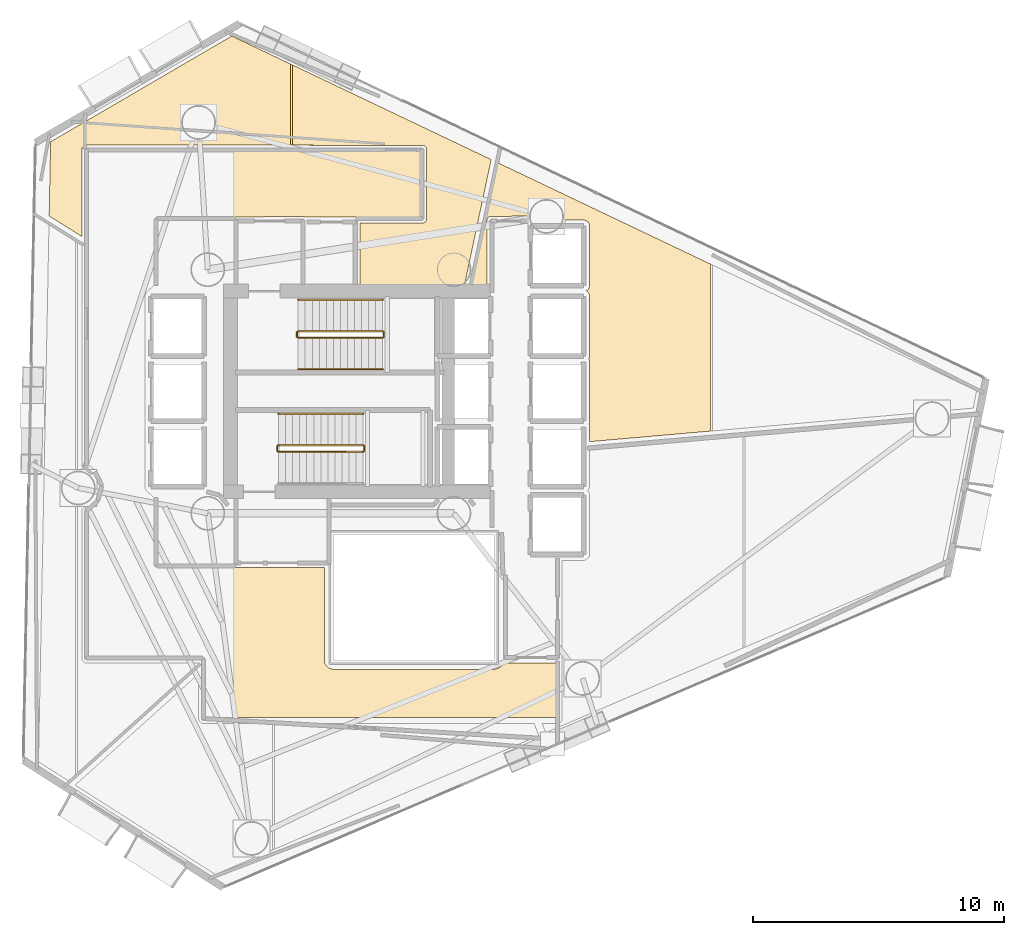
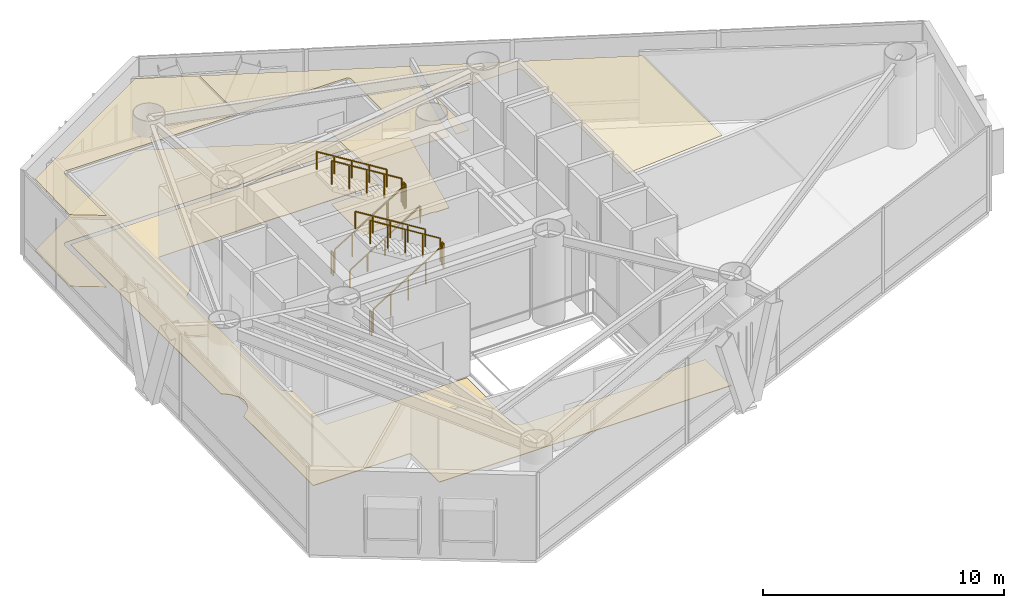
# One storey, part 20 of 21: 11 railings, 5 coverings.
"""IFC4 building model written with IfcOpenShell, lengths in metres."""

import ifcopenshell
import ifcopenshell.guid

model = None  # the IFC model being written
_history = None  # IfcOwnerHistory: only IFC2X3 demands one
_inside = {}  # id of a spatial element -> (the spatial element, [elements in it])
_under = {}  # id of a project, library or spatial element -> (it, [spatial elements below it])
_declared = {}  # id of a project -> (the project, [libraries it declares])
_typed = {}  # id of a type object -> (the type object, [elements of that type])
_made_of = {}  # id of a material, layer set ... -> (it, [elements and type objects made of it])


def new_model(schema):
    """Start an empty IFC model of exactly this schema.

    Asked for "IFC4X3", IfcOpenShell would pick the latest addendum, in which some entities
    have other attributes; the version numbers below select the first issue.
    IFC2X3 requires an IfcOwnerHistory on every rooted entity: one is made here for all.
    """
    global model, _history
    if schema == "IFC4X3":
        model = ifcopenshell.file(schema_version=(4, 3, 0, 0))
    else:
        model = ifcopenshell.file(schema=schema)
    _inside.clear()
    _under.clear()
    _declared.clear()
    _typed.clear()
    _made_of.clear()
    _history = None
    if model.schema == "IFC2X3":
        org = make("IfcOrganization", Name="unknown")
        user = make(
            "IfcPersonAndOrganization",
            ThePerson=make("IfcPerson", FamilyName="unknown"),
            TheOrganization=org,
        )
        app = make(
            "IfcApplication",
            ApplicationDeveloper=org,
            Version="unknown",
            ApplicationFullName="unknown",
            ApplicationIdentifier="unknown",
        )
        _history = make(
            "IfcOwnerHistory",
            OwningUser=user,
            OwningApplication=app,
            ChangeAction="ADDED",
            CreationDate=0,
        )
    return model


def make(cls, **values):
    """One entity of the class cls with the attributes given. An attribute that is None is left unset."""
    return model.create_entity(
        cls, **{name: value for name, value in values.items() if value is not None}
    )


def rooted(cls, **values):
    """An entity with a GlobalId (a new one), such as an element, a storey or a relation."""
    return make(cls, GlobalId=ifcopenshell.guid.new(), OwnerHistory=_history, **values)


def si_unit(unit_type, name, prefix=None):
    """IfcSIUnit, for example si_unit("LENGTHUNIT", "METRE", prefix="MILLI")."""
    return make("IfcSIUnit", UnitType=unit_type, Prefix=prefix, Name=name)


def assignment(units):
    """IfcUnitAssignment: the units of a project."""
    return None if units is None else make("IfcUnitAssignment", Units=units)


def point(xyz):
    """IfcCartesianPoint."""
    return None if xyz is None else make("IfcCartesianPoint", Coordinates=xyz)


def direction(xyz):
    """IfcDirection."""
    return None if xyz is None else make("IfcDirection", DirectionRatios=xyz)


def frame(location, z_axis=None, x_axis=None):
    """IfcAxis2Placement3D, a coordinate frame: its origin and axes. An axis left out is left unset."""
    return make(
        "IfcAxis2Placement3D",
        Location=point(location),
        Axis=direction(z_axis),
        RefDirection=direction(x_axis),
    )


def frame_2d(location, x_axis=None):
    """IfcAxis2Placement2D, a coordinate frame in the plane: its origin and x axis."""
    return make(
        "IfcAxis2Placement2D", Location=point(location), RefDirection=direction(x_axis)
    )


def origin():
    """The frame at (0, 0, 0) with its axes left unset."""
    return frame((0.0, 0.0, 0.0))


def origin_2d():
    """The frame at (0, 0) in the plane with its x axis left unset."""
    return frame_2d((0.0, 0.0))


def place(relative_to, where):
    """IfcLocalPlacement: puts the frame where relative to a parent placement (None: the world)."""
    return make(
        "IfcLocalPlacement", PlacementRelTo=relative_to, RelativePlacement=where
    )


def context(
    kind, dimensions, precision=None, world=None, true_north=None, identifier=None
):
    """IfcGeometricRepresentationContext, for example the 3D "Model" context."""
    return make(
        "IfcGeometricRepresentationContext",
        ContextIdentifier=identifier,
        ContextType=kind,
        CoordinateSpaceDimension=dimensions,
        Precision=precision,
        WorldCoordinateSystem=world,
        TrueNorth=true_north,
    )


def subcontext(parent, identifier, kind, view, scale=None):
    """IfcGeometricRepresentationSubContext, for example "Body" below "Model"."""
    return make(
        "IfcGeometricRepresentationSubContext",
        ContextIdentifier=identifier,
        ContextType=kind,
        ParentContext=parent,
        TargetScale=scale,
        TargetView=view,
    )


def project(units=None, contexts=None):
    """IfcProject with its units and contexts."""
    return rooted(
        "IfcProject",
        Name="project",
        RepresentationContexts=contexts,
        UnitsInContext=assignment(units),
    )


def spatial(cls, under=None, at=None, **own):
    """A site, building, storey or space (cls), placed at a placement, below another one or the project."""
    s = rooted(cls, ObjectPlacement=at, **own)
    if under is not None:
        _under.setdefault(under.id(), (under, []))[1].append(s)
    return s


def polyline(points):
    """IfcPolyline through the points."""
    return make("IfcPolyline", Points=[point(p) for p in points])


def profile(cls, at=None, kind="AREA", **sizes):
    """A parametric profile (cls). Its sizes go by their IFC names, for example OverallWidth=200.0."""
    return make(cls, ProfileType=kind, Position=at, **sizes)


def rectangle(**sizes):
    """IfcRectangleProfileDef."""
    return profile("IfcRectangleProfileDef", **sizes)


def outline(outer, holes=None, kind="AREA"):
    """IfcArbitraryClosedProfileDef: a profile drawn as a closed curve; with holes, ...WithVoids."""
    if holes is None:
        return make("IfcArbitraryClosedProfileDef", ProfileType=kind, OuterCurve=outer)
    return make(
        "IfcArbitraryProfileDefWithVoids",
        ProfileType=kind,
        OuterCurve=outer,
        InnerCurves=holes,
    )


def extrude(swept, where, along, depth):
    """IfcExtrudedAreaSolid: the profile swept, set in the frame where, extruded along a direction by depth."""
    return make(
        "IfcExtrudedAreaSolid",
        SweptArea=swept,
        Position=where,
        ExtrudedDirection=direction(along),
        Depth=depth,
    )


def shape(context_of_items, identifier, shape_type, items):
    """IfcShapeRepresentation: the items that make up one representation, for example the "Body"."""
    return make(
        "IfcShapeRepresentation",
        ContextOfItems=context_of_items,
        RepresentationIdentifier=identifier,
        RepresentationType=shape_type,
        Items=items,
    )


def material(Name=None, Category=None):
    """IfcMaterial."""
    return make("IfcMaterial", Name=Name, Category=Category)


def layer(
    of_material, thickness, ventilated=None, Name=None, Category=None, Priority=None
):
    """IfcMaterialLayer: one layer of a wall or slab, of a material (None: an air gap)."""
    return make(
        "IfcMaterialLayer",
        Material=of_material,
        LayerThickness=thickness,
        IsVentilated=ventilated,
        Name=Name,
        Category=Category,
        Priority=Priority,
    )


def layer_set(layers, Name=None):
    """IfcMaterialLayerSet."""
    return make("IfcMaterialLayerSet", MaterialLayers=layers, LayerSetName=Name)


def made_of(thing, what):
    """Note that an element or type object is made of a material, layer set ...; save() writes the relation."""
    if what is not None:
        _made_of.setdefault(what.id(), (what, []))[1].append(thing)
    return thing


def type_object(cls, material=None, **own):
    """A type object (cls), such as IfcWallType, which elements share."""
    return made_of(rooted(cls, **own), material)


def element(
    cls,
    number,
    at=None,
    inside=None,
    cuts=None,
    type_object=None,
    material=None,
    context=None,
    identifier="Body",
    shape_type=None,
    held_by="IfcProductDefinitionShape",
    body=None,
    shapes=None,
    **own,
):
    """One element of the class cls, such as IfcWall. Its Tag is "e" and its number.

    at: its placement. inside: the storey or other place that contains it. cuts: it is an
    opening in that element (IfcRelVoidsElement). A single representation is given by context,
    identifier, shape_type and body (its items); several are given by shapes. held_by: the class
    of the entity that holds the representations. save() writes the other relations.
    """
    e = rooted(cls, Tag="e%d" % number, ObjectPlacement=at, **own)
    if body is not None:
        shapes = [shape(context, identifier, shape_type, body)]
    if shapes is not None:
        e.Representation = make(held_by, Representations=shapes)
    if inside is not None:
        _inside.setdefault(inside.id(), (inside, []))[1].append(e)
    if cuts is not None:
        rooted(
            "IfcRelVoidsElement", RelatingBuildingElement=cuts, RelatedOpeningElement=e
        )
    if type_object is not None:
        _typed.setdefault(type_object.id(), (type_object, []))[1].append(e)
    return made_of(e, material)


def aggregate(whole, parts):
    """IfcRelAggregates: a whole, such as a stair, and the parts it consists of."""
    return rooted("IfcRelAggregates", RelatingObject=whole, RelatedObjects=parts)


def save(model, path):
    """Write the relations noted so far, then the file.

    IfcRelAggregates (storeys below a building ...), IfcRelContainedInSpatialStructure (elements
    in a storey), IfcRelDefinesByType, IfcRelAssociatesMaterial and IfcRelDeclares: one each for
    every whole, place, type object, material and project.
    """
    for whole, parts in _under.values():
        aggregate(whole, parts)
    for where, things in _inside.values():
        rooted(
            "IfcRelContainedInSpatialStructure",
            RelatedElements=things,
            RelatingStructure=where,
        )
    for kind, things in _typed.values():
        rooted("IfcRelDefinesByType", RelatedObjects=things, RelatingType=kind)
    for what, things in _made_of.values():
        rooted("IfcRelAssociatesMaterial", RelatedObjects=things, RelatingMaterial=what)
    for by, libraries in _declared.values():
        rooted("IfcRelDeclares", RelatingContext=by, RelatedDefinitions=libraries)
    model.write(path)


model = new_model("IFC4")

# Units and contexts
model_context = context("Model", 3, precision=1e-05, world=origin(), true_north=direction((0.0, 1.0)))
body_context = subcontext(model_context, "Body", "Model", "MODEL_VIEW")
ifc_project = project(units=[si_unit("LENGTHUNIT", "METRE"), si_unit("AREAUNIT", "SQUARE_METRE"), si_unit("VOLUMEUNIT", "CUBIC_METRE"), si_unit("PLANEANGLEUNIT", "RADIAN"), si_unit("MASSUNIT", "GRAM", prefix="KILO")], contexts=[model_context])

# Site, building, storey
site_placement = place(None, origin())
site = spatial("IfcSite", under=ifc_project, at=site_placement, CompositionType="ELEMENT")
building_placement = place(site_placement, origin())
building = spatial("IfcBuilding", under=site, at=building_placement, Name="Qianvela Tower", CompositionType="ELEMENT")
storey_placement = place(building_placement, frame((0.0, 0.0, 143.10009765625)))
storey = spatial("IfcBuildingStorey", under=building, at=storey_placement, Name="L36", CompositionType="ELEMENT", Elevation=143.10009765625)

# Coverings
ifc_material_1 = material(Name="Perforated Mineral Acoustic Ceiling Tile")
ifc_layer_1 = layer(ifc_material_1, 0.02490234375)
ifc_layer_set_1 = layer_set([ifc_layer_1], Name="Perforated Mineral Acoustic Ceiling Tile")
covering_type_1 = type_object("IfcCoveringType", Name="COV-CEIL-ACOUSTIC-25", PredefinedType="CEILING", material=ifc_layer_set_1)
covering_1_placement = place(storey_placement, frame((0.0, 0.0, 3.614990234375)))
element("IfcCovering", 1, at=covering_1_placement, inside=storey, type_object=covering_type_1, Name="L36 Acoustic Ceiling Bay 1 L36 Academic Seminar Room", PredefinedType="CEILING", context=body_context, shape_type="SweptSolid", body=[
    extrude(outline(polyline([(43.722412109375, 32.739013671875), (43.729248046875, 32.74267578125), (43.73583984375, 32.746826171875), (43.741943359375, 32.751953125), (43.74755859375, 32.757568359375), (43.75244140625, 32.763427734375), (43.7568359375, 32.77001953125), (43.760498046875, 32.777099609375), (43.763427734375, 32.7841796875), (43.79541015625, 32.873046875), (43.7978515625, 32.8818359375), (43.799560546875, 32.890869140625), (43.800048828125, 32.89990234375), (43.800048828125, 35.300048828125), (43.799560546875, 35.30908203125), (43.7978515625, 35.318115234375), (43.79541015625, 35.326904296875), (43.763427734375, 35.415771484375), (43.760498046875, 35.423095703125), (43.7568359375, 35.429931640625), (43.75244140625, 35.4365234375), (43.74755859375, 35.4423828125), (43.741943359375, 35.447998046875), (43.73583984375, 35.453125), (43.729248046875, 35.45751953125), (43.722412109375, 35.461181640625), (43.6142578125, 35.51220703125), (43.607666015625, 35.51513671875), (43.600830078125, 35.51708984375), (43.593994140625, 35.518798828125), (43.5869140625, 35.519775390625), (43.57958984375, 35.52001953125), (41.429931640625, 35.51123046875), (41.40625, 35.58740234375), (41.4033203125, 35.594970703125), (41.399658203125, 35.602294921875), (41.395263671875, 35.609375), (41.390380859375, 35.615966796875), (41.384521484375, 35.621826171875), (41.37841796875, 35.627197265625), (41.37158203125, 35.6318359375), (41.312255859375, 35.66796875), (41.305908203125, 35.67138671875), (41.299072265625, 35.67431640625), (41.2919921875, 35.6767578125), (41.284912109375, 35.67822265625), (41.277587890625, 35.67919921875), (41.27001953125, 35.6796875), (39.841796875, 35.670654296875), (39.83349609375, 35.670166015625), (39.825439453125, 35.668701171875), (39.817626953125, 35.66650390625), (39.809814453125, 35.663818359375), (39.802490234375, 35.659912109375), (39.795654296875, 35.655517578125), (39.789306640625, 35.650390625), (39.783447265625, 35.644775390625), (39.7783203125, 35.638427734375), (39.773681640625, 35.631591796875), (39.7314453125, 35.56103515625), (39.727294921875, 35.553466796875), (39.72412109375, 35.54541015625), (39.721923828125, 35.537109375), (39.720458984375, 35.528564453125), (39.719970703125, 35.52001953125), (39.719970703125, 32.719970703125), (39.081787109375, 32.719970703125), (40.1611328125, 37.798583984375), (48.61474609375, 33.77099609375), (48.61474609375, 27.123046875), (43.7998046875, 26.70166015625), (43.79931640625, 27.313720703125), (43.799072265625, 27.32080078125), (43.798095703125, 27.327880859375), (43.79638671875, 27.3349609375), (43.794189453125, 27.341796875), (43.79150390625, 27.348388671875), (43.765625, 27.402099609375), (43.793701171875, 27.468994140625), (43.79638671875, 27.476318359375), (43.79833984375, 27.484130859375), (43.799560546875, 27.491943359375), (43.800048828125, 27.5), (43.800048828125, 29.89990234375), (43.799560546875, 29.907958984375), (43.79833984375, 29.915771484375), (43.79638671875, 29.923583984375), (43.793701171875, 29.93115234375), (43.7646484375, 30.0), (43.793701171875, 30.06884765625), (43.79638671875, 30.076416015625), (43.798583984375, 30.084228515625), (43.799560546875, 30.09228515625), (43.800048828125, 30.100341796875), (43.789306640625, 32.553955078125), (43.788818359375, 32.561767578125), (43.787841796875, 32.5693359375), (43.785888671875, 32.576904296875), (43.783203125, 32.584228515625), (43.77978515625, 32.59130859375), (43.77587890625, 32.59814453125), (43.771240234375, 32.604248046875), (43.719482421875, 32.667236328125), (43.71435546875, 32.673095703125), (43.70849609375, 32.67822265625), (43.7021484375, 32.682861328125), (43.695556640625, 32.68701171875), (43.6884765625, 32.690185546875), (43.680908203125, 32.693115234375), (43.647216796875, 32.703125), (43.722412109375, 32.739013671875)])), origin(), (0.0, 0.0, 1.0), 0.02490234375),
])
covering_2_placement = place(storey_placement, frame((0.0, 0.0, 3.614990234375)))
element("IfcCovering", 2, at=covering_2_placement, inside=storey, type_object=covering_type_1, Name="L36 Acoustic Ceiling Bay 1 L36 Social Reading Lounge", PredefinedType="CEILING", context=body_context, shape_type="SweptSolid", body=[
    extrude(outline(polyline([(23.726806640625, 38.506591796875), (23.719482421875, 38.506103515625), (23.7119140625, 38.505126953125), (23.70458984375, 38.50341796875), (23.697509765625, 38.501220703125), (23.69091796875, 38.498046875), (23.684326171875, 38.494384765625), (23.67822265625, 38.489990234375), (23.672607421875, 38.4853515625), (23.667236328125, 38.47998046875), (23.66259765625, 38.47412109375), (23.605712890625, 38.397705078125), (23.60107421875, 38.390625), (23.59716796875, 38.383056640625), (23.593994140625, 38.375), (23.591796875, 38.366943359375), (23.590576171875, 38.3583984375), (23.590087890625, 38.35009765625), (23.590087890625, 34.868896484375), (22.285888671875, 35.68359375), (22.34375, 38.640625), (29.55712890625, 42.85009765625), (31.902587890625, 41.73291015625), (31.902587890625, 38.5029296875), (23.726806640625, 38.506591796875)])), origin(), (0.0, 0.0, 1.0), 0.02490234375),
])
covering_3_placement = place(storey_placement, frame((0.0, 0.0, 3.614990234375)))
element("IfcCovering", 3, at=covering_3_placement, inside=storey, type_object=covering_type_1, Name="L36 Acoustic Ceiling Bay 2 L36 Social Reading Lounge", PredefinedType="CEILING", context=body_context, shape_type="SweptSolid", body=[
    extrude(outline(polyline([(38.77490234375, 32.719970703125), (38.125, 32.719970703125), (38.03369140625, 32.762451171875), (38.025634765625, 32.765625), (38.017333984375, 32.76806640625), (38.0087890625, 32.76953125), (38.0, 32.77001953125), (34.659912109375, 32.77001953125), (34.659912109375, 35.39990234375), (37.14990234375, 35.39990234375), (37.15771484375, 35.400390625), (37.16552734375, 35.401611328125), (37.173095703125, 35.4033203125), (37.1806640625, 35.406005859375), (37.187744140625, 35.409423828125), (37.1943359375, 35.41357421875), (37.268310546875, 35.462890625), (37.274658203125, 35.467529296875), (37.280517578125, 35.472900390625), (37.28564453125, 35.478515625), (37.290283203125, 35.48486328125), (37.29443359375, 35.49169921875), (37.2978515625, 35.498779296875), (37.30029296875, 35.506103515625), (37.30224609375, 35.513671875), (37.303466796875, 35.521484375), (37.303955078125, 35.529296875), (37.31005859375, 38.349853515625), (37.309814453125, 38.35693359375), (37.30859375, 38.3642578125), (37.30712890625, 38.371337890625), (37.304931640625, 38.378173828125), (37.302001953125, 38.384765625), (37.298583984375, 38.39111328125), (37.25634765625, 38.461669921875), (37.251708984375, 38.468505859375), (37.24658203125, 38.474853515625), (37.240478515625, 38.480712890625), (37.234130859375, 38.485595703125), (37.227294921875, 38.490234375), (37.2197265625, 38.493896484375), (37.212158203125, 38.496826171875), (37.2041015625, 38.498779296875), (37.196044921875, 38.5), (37.187744140625, 38.50048828125), (31.982421875, 38.5029296875), (31.982421875, 41.69482421875), (39.8828125, 37.93115234375), (38.77490234375, 32.719970703125)])), origin(), (0.0, 0.0, 1.0), 0.02490234375),
])
ifc_material_2 = material(Name="Engineered Acoustic Oak Timber Flooring", Category="wood")
ifc_layer_2 = layer(ifc_material_2, 0.02001953125)
ifc_layer_set_2 = layer_set([ifc_layer_2], Name="Engineered Acoustic Oak Timber Flooring")
covering_type_2 = type_object("IfcCoveringType", Name="COV-FLOOR-OAK-20", PredefinedType="FLOORING", material=ifc_layer_set_2)
covering_4_placement = place(storey_placement, origin())
element("IfcCovering", 4, at=covering_4_placement, inside=storey, type_object=covering_type_2, Name="L36 Finish Flooring L36 Social Reading Lounge", PredefinedType="FLOORING", context=body_context, shape_type="SweptSolid", body=[
    extrude(outline(polyline([(39.8828125, 37.93115234375), (38.77490234375, 32.719970703125), (38.125, 32.719970703125), (38.03369140625, 32.762451171875), (38.025634765625, 32.765625), (38.017333984375, 32.76806640625), (38.0087890625, 32.76953125), (38.0, 32.77001953125), (34.659912109375, 32.77001953125), (34.659912109375, 35.39990234375), (37.14990234375, 35.39990234375), (37.15771484375, 35.400390625), (37.16552734375, 35.401611328125), (37.173095703125, 35.4033203125), (37.1806640625, 35.406005859375), (37.187744140625, 35.409423828125), (37.1943359375, 35.41357421875), (37.268310546875, 35.462890625), (37.274658203125, 35.467529296875), (37.280517578125, 35.472900390625), (37.28564453125, 35.478515625), (37.290283203125, 35.48486328125), (37.29443359375, 35.49169921875), (37.2978515625, 35.498779296875), (37.30029296875, 35.506103515625), (37.30224609375, 35.513671875), (37.303466796875, 35.521484375), (37.303955078125, 35.529296875), (37.31005859375, 38.349853515625), (37.309814453125, 38.35693359375), (37.30859375, 38.3642578125), (37.30712890625, 38.371337890625), (37.304931640625, 38.378173828125), (37.302001953125, 38.384765625), (37.298583984375, 38.39111328125), (37.25634765625, 38.461669921875), (37.251708984375, 38.468505859375), (37.24658203125, 38.474853515625), (37.240478515625, 38.480712890625), (37.234130859375, 38.485595703125), (37.227294921875, 38.490234375), (37.2197265625, 38.493896484375), (37.212158203125, 38.496826171875), (37.2041015625, 38.498779296875), (37.196044921875, 38.5), (37.187744140625, 38.50048828125), (23.726806640625, 38.506591796875), (23.719482421875, 38.506103515625), (23.7119140625, 38.505126953125), (23.70458984375, 38.50341796875), (23.697509765625, 38.501220703125), (23.69091796875, 38.498046875), (23.684326171875, 38.494384765625), (23.67822265625, 38.489990234375), (23.672607421875, 38.4853515625), (23.667236328125, 38.47998046875), (23.66259765625, 38.47412109375), (23.605712890625, 38.397705078125), (23.60107421875, 38.390625), (23.59716796875, 38.383056640625), (23.593994140625, 38.375), (23.591796875, 38.366943359375), (23.590576171875, 38.3583984375), (23.590087890625, 38.35009765625), (23.590087890625, 34.868896484375), (22.285888671875, 35.68359375), (22.34375, 38.640625), (29.55712890625, 42.85009765625), (39.8828125, 37.93115234375)])), origin(), (0.0, 0.0, 1.0), 0.02001953125),
])
ifc_material_3 = material(Name="Honed Stone Terrazzo Flooring", Category="masonry")
ifc_layer_3 = layer(ifc_material_3, 0.030029296875)
ifc_layer_set_3 = layer_set([ifc_layer_3], Name="Honed Stone Terrazzo Flooring")
covering_type_3 = type_object("IfcCoveringType", Name="COV-FLOOR-TERRAZZO-30", PredefinedType="FLOORING", material=ifc_layer_set_3)
covering_5_placement = place(storey_placement, origin())
element("IfcCovering", 5, at=covering_5_placement, inside=storey, type_object=covering_type_3, Name="L36 Finish Flooring L36 Sky Lobby Gallery Corridor", PredefinedType="FLOORING", context=body_context, shape_type="SweptSolid", body=[
    extrude(outline(polyline([(24.1455078125, 25.536376953125), (24.140625, 25.54248046875), (24.135498046875, 25.54833984375), (24.129638671875, 25.5537109375), (23.830078125, 25.799560546875), (23.830078125, 38.27001953125), (37.070068359375, 38.27001953125), (37.070068359375, 35.639892578125), (32.5244140625, 35.639892578125), (32.43798828125, 35.659912109375), (32.428955078125, 35.66162109375), (32.419677734375, 35.662109375), (26.57958984375, 35.639892578125), (26.572021484375, 35.6396484375), (26.564208984375, 35.638427734375), (26.556396484375, 35.636474609375), (26.54931640625, 35.6337890625), (26.5419921875, 35.630615234375), (26.535400390625, 35.62646484375), (26.529052734375, 35.62158203125), (26.523193359375, 35.616455078125), (26.51806640625, 35.610595703125), (26.513427734375, 35.6044921875), (26.509521484375, 35.59765625), (26.506103515625, 35.590576171875), (26.50341796875, 35.583251953125), (26.50146484375, 35.57568359375), (26.50048828125, 35.56787109375), (26.5, 35.56005859375), (26.5, 32.959716796875), (26.167236328125, 32.658203125), (26.1611328125, 32.652099609375), (26.155517578125, 32.64501953125), (26.15087890625, 32.6376953125), (26.147216796875, 32.629638671875), (26.106201171875, 32.530517578125), (26.103515625, 32.523193359375), (26.1015625, 32.515625), (26.100341796875, 32.5078125), (26.10009765625, 32.5), (26.10009765625, 24.876220703125), (26.100341796875, 24.8681640625), (26.1015625, 24.8603515625), (26.103515625, 24.8525390625), (26.106201171875, 24.84521484375), (26.10986328125, 24.837890625), (26.15087890625, 24.7626953125), (26.155517578125, 24.755126953125), (26.160888671875, 24.748046875), (26.167236328125, 24.74169921875), (26.5, 24.440185546875), (26.5, 21.780029296875), (26.50048828125, 21.772216796875), (26.50146484375, 21.764404296875), (26.50341796875, 21.7568359375), (26.506103515625, 21.74951171875), (26.509521484375, 21.7421875), (26.513427734375, 21.735595703125), (26.518310546875, 21.729248046875), (26.5234375, 21.723388671875), (26.529296875, 21.71826171875), (26.53564453125, 21.71337890625), (26.542236328125, 21.70947265625), (26.54931640625, 21.7060546875), (26.556884765625, 21.703369140625), (26.564453125, 21.701416015625), (26.572265625, 21.700439453125), (26.580078125, 21.699951171875), (33.239990234375, 21.699951171875), (33.239990234375, 18.0), (33.240478515625, 17.990234375), (33.242431640625, 17.980712890625), (33.275390625, 17.8486328125), (33.277587890625, 17.841064453125), (33.28076171875, 17.833740234375), (33.284423828125, 17.826904296875), (33.288818359375, 17.8203125), (33.293701171875, 17.814208984375), (33.38525390625, 17.71337890625), (33.39013671875, 17.70849609375), (33.395751953125, 17.70361328125), (33.401611328125, 17.69970703125), (33.407958984375, 17.696044921875), (33.414306640625, 17.693115234375), (33.421142578125, 17.690673828125), (33.576904296875, 17.643310546875), (33.58447265625, 17.6416015625), (33.59228515625, 17.640380859375), (33.60009765625, 17.639892578125), (40.0, 17.639892578125), (40.006591796875, 17.640380859375), (40.012939453125, 17.64111328125), (40.019287109375, 17.642333984375), (40.1513671875, 17.675537109375), (40.15869140625, 17.677734375), (40.166015625, 17.6806640625), (40.172607421875, 17.68408203125), (40.17919921875, 17.6884765625), (40.45947265625, 17.89306640625), (42.469970703125, 17.899658203125), (42.469970703125, 15.72998046875), (28.47998046875, 15.72998046875), (28.47998046875, 18.050048828125), (28.4794921875, 18.057861328125), (28.478515625, 18.065673828125), (28.4765625, 18.0732421875), (28.473876953125, 18.08056640625), (28.470703125, 18.087646484375), (28.466552734375, 18.094482421875), (28.4619140625, 18.100830078125), (28.45654296875, 18.106689453125), (28.45068359375, 18.11181640625), (28.4443359375, 18.116455078125), (28.437744140625, 18.12060546875), (28.4306640625, 18.123779296875), (28.423095703125, 18.126708984375), (28.41552734375, 18.12841796875), (28.40771484375, 18.129638671875), (28.39990234375, 18.1298828125), (23.830078125, 18.1298828125), (23.830078125, 23.921142578125), (24.244384765625, 24.302978515625), (24.25048828125, 24.30908203125), (24.255859375, 24.31591796875), (24.26025390625, 24.3232421875), (24.26416015625, 24.3310546875), (24.397705078125, 24.65380859375), (24.400390625, 24.6611328125), (24.40234375, 24.668701171875), (24.4033203125, 24.676513671875), (24.429443359375, 24.940185546875), (24.4296875, 24.947998046875), (24.429443359375, 24.955810546875), (24.42822265625, 24.963623046875), (24.42626953125, 24.97119140625), (24.349365234375, 25.224609375), (24.3466796875, 25.232177734375), (24.343505859375, 25.2392578125), (24.33935546875, 25.245849609375), (24.1455078125, 25.536376953125)])), origin(), (0.0, 0.0, 1.0), 0.02978515625),
])

# Railings
ifc_material_4 = material(Name="Painted Tubular Steel Q355B", Category="steel")
railing_type_1 = type_object("IfcRailingType", Name="RL-STAIR-GUARD-1200", PredefinedType="GUARDRAIL", material=ifc_material_4)
railing_1_placement = place(storey_placement, frame((32.199951171875, 30.840087890625, 0.173095703125)))
element("IfcRailing", 6, at=railing_1_placement, inside=storey, type_object=railing_type_1, Name="L36 ST-1 stair guard 1", PredefinedType="GUARDRAIL", context=body_context, shape_type="SweptSolid", body=[
    extrude(rectangle(XDim=0.050048828125, YDim=0.0400390625, at=origin_2d()), frame((0.0, 0.0, 1.179931640625), z_axis=(0.850623216509, 0.0, 0.525775754039), x_axis=(0.0, 1.0, 0.0)), (0.0, 0.0, 1.0), 3.9501953125),
    extrude(rectangle(XDim=0.050048828125, YDim=0.050048828125, at=origin_2d()), origin(), (0.0, 0.0, 1.0), 1.159912109375),
    extrude(rectangle(XDim=0.050048828125, YDim=0.050048828125, at=origin_2d()), frame((0.840087890625, 0.0, 0.519287109375)), (0.0, 0.0, 1.0), 1.159912109375),
    extrude(rectangle(XDim=0.050048828125, YDim=0.050048828125, at=origin_2d()), frame((1.68017578125, 0.0, 1.03857421875)), (0.0, 0.0, 1.0), 1.159912109375),
    extrude(rectangle(XDim=0.050048828125, YDim=0.050048828125, at=origin_2d()), frame((2.52001953125, 0.0, 1.5576171875)), (0.0, 0.0, 1.0), 1.159912109375),
    extrude(rectangle(XDim=0.050048828125, YDim=0.050048828125, at=origin_2d()), frame((3.360107421875, 0.0, 2.076904296875)), (0.0, 0.0, 1.0), 1.159912109375),
])
railing_2_placement = place(storey_placement, frame((35.610107421875, 30.889892578125, 2.25)))
element("IfcRailing", 7, at=railing_2_placement, inside=storey, type_object=railing_type_1, Name="L36 ST-1 stair guard 2", PredefinedType="GUARDRAIL", context=body_context, shape_type="SweptSolid", body=[
    extrude(rectangle(XDim=0.050048828125, YDim=0.0400390625, at=origin_2d()), frame((0.0, 0.0, 1.179931640625), z_axis=(0.0, 1.0, 0.0), x_axis=(-1.0, 0.0, 0.0)), (0.0, 0.0, 1.0), 0.16015625),
    extrude(rectangle(XDim=0.050048828125, YDim=0.050048828125, at=origin_2d()), origin(), (0.0, 0.0, 1.0), 1.159912109375),
    extrude(rectangle(XDim=0.050048828125, YDim=0.050048828125, at=origin_2d()), frame((0.0, 0.16015625, 0.0)), (0.0, 0.0, 1.0), 1.159912109375),
])
railing_3_placement = place(storey_placement, frame((35.56005859375, 31.10009765625, 2.423095703125)))
element("IfcRailing", 8, at=railing_3_placement, inside=storey, type_object=railing_type_1, Name="L36 ST-1 stair guard 3", PredefinedType="GUARDRAIL", context=body_context, shape_type="SweptSolid", body=[
    extrude(rectangle(XDim=0.050048828125, YDim=0.0400390625, at=origin_2d()), frame((0.0, 0.0, 1.179931640625), z_axis=(-0.850623216509, 0.0, 0.525775754039), x_axis=(0.0, -1.0, 0.0)), (0.0, 0.0, 1.0), 3.9501953125),
    extrude(rectangle(XDim=0.050048828125, YDim=0.050048828125, at=origin_2d()), origin(), (0.0, 0.0, 1.0), 1.159912109375),
    extrude(rectangle(XDim=0.050048828125, YDim=0.050048828125, at=origin_2d()), frame((-0.840087890625, 0.0, 0.519287109375)), (0.0, 0.0, 1.0), 1.159912109375),
    extrude(rectangle(XDim=0.050048828125, YDim=0.050048828125, at=origin_2d()), frame((-1.68017578125, 0.0, 1.03857421875)), (0.0, 0.0, 1.0), 1.159912109375),
    extrude(rectangle(XDim=0.050048828125, YDim=0.050048828125, at=origin_2d()), frame((-2.52001953125, 0.0, 1.5576171875)), (0.0, 0.0, 1.0), 1.159912109375),
    extrude(rectangle(XDim=0.050048828125, YDim=0.050048828125, at=origin_2d()), frame((-3.360107421875, 0.0, 2.076904296875)), (0.0, 0.0, 1.0), 1.159912109375),
])
railing_4_placement = place(storey_placement, frame((32.14990234375, 30.889892578125, 0.0)))
element("IfcRailing", 9, at=railing_4_placement, inside=storey, type_object=railing_type_1, Name="L36 ST-1 stair guard 4", PredefinedType="GUARDRAIL", context=body_context, shape_type="SweptSolid", body=[
    extrude(rectangle(XDim=0.050048828125, YDim=0.0400390625, at=origin_2d()), frame((0.0, 0.0, 1.179931640625), z_axis=(0.0, 1.0, 0.0), x_axis=(-1.0, 0.0, 0.0)), (0.0, 0.0, 1.0), 0.16015625),
    extrude(rectangle(XDim=0.050048828125, YDim=0.050048828125, at=origin_2d()), origin(), (0.0, 0.0, 1.0), 1.159912109375),
    extrude(rectangle(XDim=0.050048828125, YDim=0.050048828125, at=origin_2d()), frame((0.0, 0.16015625, 0.0)), (0.0, 0.0, 1.0), 1.159912109375),
])
railing_5_placement = place(storey_placement, frame((31.419921875, 26.300048828125, 0.173095703125)))
element("IfcRailing", 10, at=railing_5_placement, inside=storey, type_object=railing_type_1, Name="L36 ST-2 stair guard 1", PredefinedType="GUARDRAIL", context=body_context, shape_type="SweptSolid", body=[
    extrude(rectangle(XDim=0.050048828125, YDim=0.0400390625, at=origin_2d()), frame((0.0, 0.0, 1.179931640625), z_axis=(0.850623216509, 0.0, 0.525775754039), x_axis=(0.0, 1.0, 0.0)), (0.0, 0.0, 1.0), 3.9501953125),
    extrude(rectangle(XDim=0.050048828125, YDim=0.050048828125, at=origin_2d()), origin(), (0.0, 0.0, 1.0), 1.159912109375),
    extrude(rectangle(XDim=0.050048828125, YDim=0.050048828125, at=origin_2d()), frame((0.840087890625, 0.0, 0.519287109375)), (0.0, 0.0, 1.0), 1.159912109375),
    extrude(rectangle(XDim=0.050048828125, YDim=0.050048828125, at=origin_2d()), frame((1.68017578125, 0.0, 1.03857421875)), (0.0, 0.0, 1.0), 1.159912109375),
    extrude(rectangle(XDim=0.050048828125, YDim=0.050048828125, at=origin_2d()), frame((2.52001953125, 0.0, 1.5576171875)), (0.0, 0.0, 1.0), 1.159912109375),
    extrude(rectangle(XDim=0.050048828125, YDim=0.050048828125, at=origin_2d()), frame((3.360107421875, 0.0, 2.076904296875)), (0.0, 0.0, 1.0), 1.159912109375),
])
railing_6_placement = place(storey_placement, frame((34.830078125, 26.35009765625, 2.25)))
element("IfcRailing", 11, at=railing_6_placement, inside=storey, type_object=railing_type_1, Name="L36 ST-2 stair guard 2", PredefinedType="GUARDRAIL", context=body_context, shape_type="SweptSolid", body=[
    extrude(rectangle(XDim=0.050048828125, YDim=0.0400390625, at=origin_2d()), frame((0.0, 0.0, 1.179931640625), z_axis=(0.0, 1.0, 0.0), x_axis=(-1.0, 0.0, 0.0)), (0.0, 0.0, 1.0), 0.159912109375),
    extrude(rectangle(XDim=0.050048828125, YDim=0.050048828125, at=origin_2d()), origin(), (0.0, 0.0, 1.0), 1.159912109375),
    extrude(rectangle(XDim=0.050048828125, YDim=0.050048828125, at=origin_2d()), frame((0.0, 0.159912109375, 0.0)), (0.0, 0.0, 1.0), 1.159912109375),
])
railing_7_placement = place(storey_placement, frame((34.780029296875, 26.56005859375, 2.423095703125)))
element("IfcRailing", 12, at=railing_7_placement, inside=storey, type_object=railing_type_1, Name="L36 ST-2 stair guard 3", PredefinedType="GUARDRAIL", context=body_context, shape_type="SweptSolid", body=[
    extrude(rectangle(XDim=0.050048828125, YDim=0.0400390625, at=origin_2d()), frame((0.0, 0.0, 1.179931640625), z_axis=(-0.850623216509, 0.0, 0.525775754039), x_axis=(0.0, -1.0, 0.0)), (0.0, 0.0, 1.0), 3.9501953125),
    extrude(rectangle(XDim=0.050048828125, YDim=0.050048828125, at=origin_2d()), origin(), (0.0, 0.0, 1.0), 1.159912109375),
    extrude(rectangle(XDim=0.050048828125, YDim=0.050048828125, at=origin_2d()), frame((-0.840087890625, 0.0, 0.519287109375)), (0.0, 0.0, 1.0), 1.159912109375),
    extrude(rectangle(XDim=0.050048828125, YDim=0.050048828125, at=origin_2d()), frame((-1.68017578125, 0.0, 1.03857421875)), (0.0, 0.0, 1.0), 1.159912109375),
    extrude(rectangle(XDim=0.050048828125, YDim=0.050048828125, at=origin_2d()), frame((-2.52001953125, 0.0, 1.5576171875)), (0.0, 0.0, 1.0), 1.159912109375),
    extrude(rectangle(XDim=0.050048828125, YDim=0.050048828125, at=origin_2d()), frame((-3.360107421875, 0.0, 2.076904296875)), (0.0, 0.0, 1.0), 1.159912109375),
])
railing_8_placement = place(storey_placement, frame((31.3701171875, 26.35009765625, 0.0)))
element("IfcRailing", 13, at=railing_8_placement, inside=storey, type_object=railing_type_1, Name="L36 ST-2 stair guard 4", PredefinedType="GUARDRAIL", context=body_context, shape_type="SweptSolid", body=[
    extrude(rectangle(XDim=0.050048828125, YDim=0.0400390625, at=origin_2d()), frame((0.0, 0.0, 1.179931640625), z_axis=(0.0, 1.0, 0.0), x_axis=(-1.0, 0.0, 0.0)), (0.0, 0.0, 1.0), 0.159912109375),
    extrude(rectangle(XDim=0.050048828125, YDim=0.050048828125, at=origin_2d()), origin(), (0.0, 0.0, 1.0), 1.159912109375),
    extrude(rectangle(XDim=0.050048828125, YDim=0.050048828125, at=origin_2d()), frame((0.0, 0.159912109375, 0.0)), (0.0, 0.0, 1.0), 1.159912109375),
])
ifc_material_5 = material(Name="Brushed Stainless Steel 304", Category="steel")
railing_type_2 = type_object("IfcRailingType", Name="RL-STAIR-HANDRAIL-900", PredefinedType="HANDRAIL", material=ifc_material_5)
railing_9_placement = place(storey_placement, frame((32.199951171875, 29.590087890625, 0.173095703125)))
element("IfcRailing", 14, at=railing_9_placement, inside=storey, type_object=railing_type_2, Name="L36 ST-1 stair handrail 1", PredefinedType="HANDRAIL", context=body_context, shape_type="SweptSolid", body=[
    extrude(rectangle(XDim=0.050048828125, YDim=0.0400390625, at=origin_2d()), frame((0.0, 0.0, 0.8798828125), z_axis=(0.850623216509, 0.0, 0.525775754039), x_axis=(0.0, 1.0, 0.0)), (0.0, 0.0, 1.0), 3.9501953125),
    extrude(rectangle(XDim=0.050048828125, YDim=0.050048828125, at=origin_2d()), origin(), (0.0, 0.0, 1.0), 0.85986328125),
    extrude(rectangle(XDim=0.050048828125, YDim=0.050048828125, at=origin_2d()), frame((0.840087890625, 0.0, 0.519287109375)), (0.0, 0.0, 1.0), 0.85986328125),
    extrude(rectangle(XDim=0.050048828125, YDim=0.050048828125, at=origin_2d()), frame((1.68017578125, 0.0, 1.03857421875)), (0.0, 0.0, 1.0), 0.85986328125),
    extrude(rectangle(XDim=0.050048828125, YDim=0.050048828125, at=origin_2d()), frame((2.52001953125, 0.0, 1.5576171875)), (0.0, 0.0, 1.0), 0.85986328125),
    extrude(rectangle(XDim=0.050048828125, YDim=0.050048828125, at=origin_2d()), frame((3.360107421875, 0.0, 2.076904296875)), (0.0, 0.0, 1.0), 0.85986328125),
])
for number, where, name in (
    (15, (35.56005859375, 32.35009765625, 2.423095703125), "L36 ST-1 stair handrail 2"),
    (16, (34.780029296875, 27.81005859375, 2.423095703125), "L36 ST-2 stair handrail 2"),
):
    element("IfcRailing", number, at=place(storey_placement, frame(where)), inside=storey, type_object=railing_type_2, Name=name, PredefinedType="HANDRAIL", context=body_context, shape_type="SweptSolid", body=[
        extrude(rectangle(XDim=0.050048828125, YDim=0.0400390625, at=origin_2d()), frame((0.0, 0.0, 0.8798828125), z_axis=(-0.850623216509, 0.0, 0.525775754039), x_axis=(0.0, -1.0, 0.0)), (0.0, 0.0, 1.0), 3.9501953125),
        extrude(rectangle(XDim=0.050048828125, YDim=0.050048828125, at=origin_2d()), origin(), (0.0, 0.0, 1.0), 0.85986328125),
        extrude(rectangle(XDim=0.050048828125, YDim=0.050048828125, at=origin_2d()), frame((-0.840087890625, 0.0, 0.519287109375)), (0.0, 0.0, 1.0), 0.85986328125),
        extrude(rectangle(XDim=0.050048828125, YDim=0.050048828125, at=origin_2d()), frame((-1.68017578125, 0.0, 1.03857421875)), (0.0, 0.0, 1.0), 0.85986328125),
        extrude(rectangle(XDim=0.050048828125, YDim=0.050048828125, at=origin_2d()), frame((-2.52001953125, 0.0, 1.5576171875)), (0.0, 0.0, 1.0), 0.85986328125),
        extrude(rectangle(XDim=0.050048828125, YDim=0.050048828125, at=origin_2d()), frame((-3.360107421875, 0.0, 2.076904296875)), (0.0, 0.0, 1.0), 0.85986328125),
    ])

save(model, "model.ifc")
